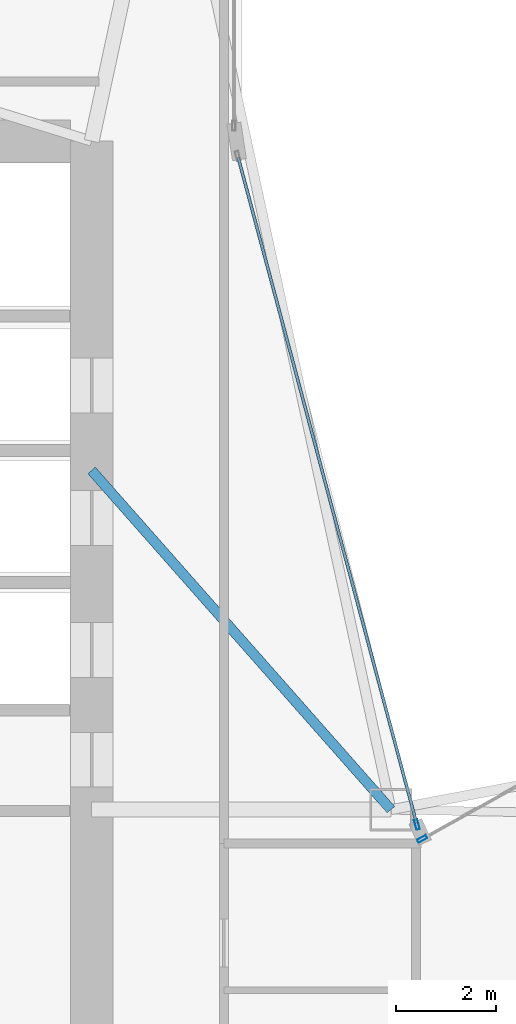
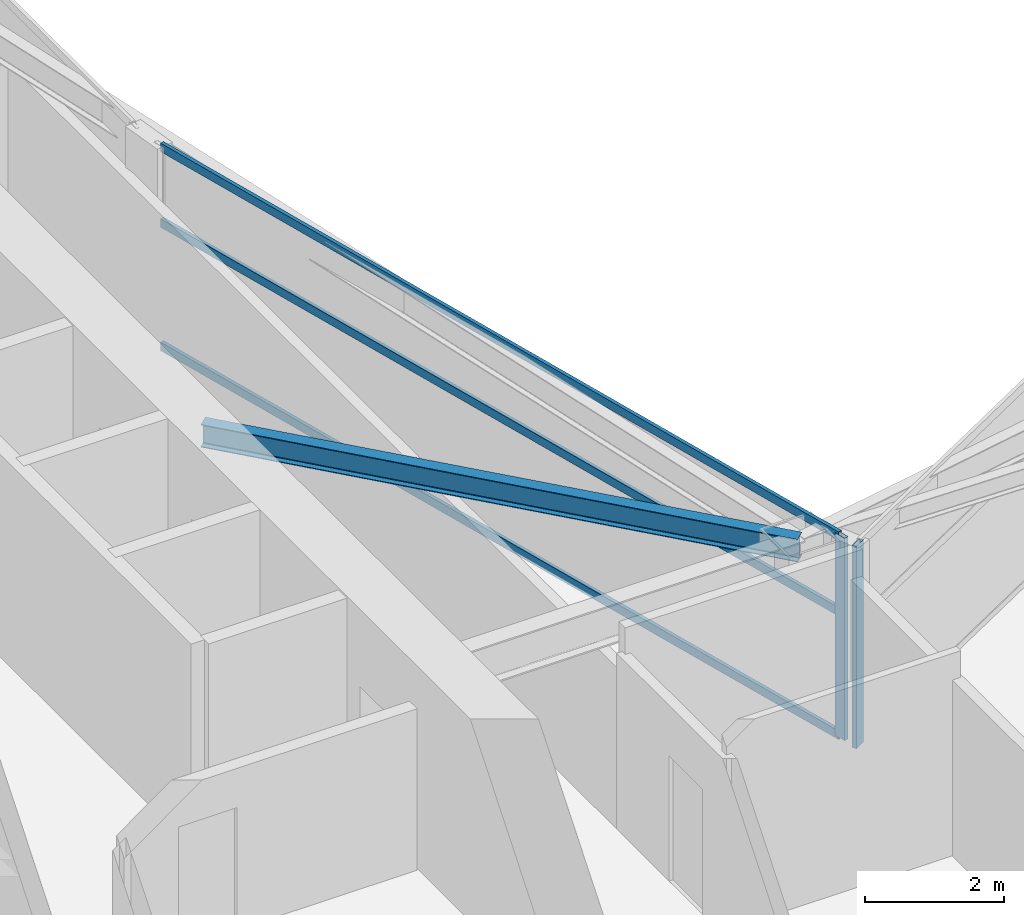
# One storey, part 10 of 28: 5 members, 1 beam, 2 elements without a shape of their own.
"""IFC4 building model written with IfcOpenShell, lengths in metres."""

from ifc_helpers import new_model, si_unit, direction, frame, origin, origin_2d, place, context, subcontext, project, spatial, hollow_rectangle, i_section, extrude, material, layer, layer_set, material_profile, profile_set, type_object, element, aggregate, save


model = new_model("IFC4")

# Units and contexts
model_context = context("Model", 3, precision=1e-05, world=origin(), true_north=direction((0.0, 1.0)))
body_context = subcontext(model_context, "Body", "Model", "MODEL_VIEW")
ifc_project = project(units=[si_unit("LENGTHUNIT", "METRE"), si_unit("AREAUNIT", "SQUARE_METRE"), si_unit("VOLUMEUNIT", "CUBIC_METRE"), si_unit("PLANEANGLEUNIT", "RADIAN"), si_unit("MASSUNIT", "GRAM", prefix="KILO")], contexts=[model_context])

# Site, building, storey
site_placement = place(None, origin())
site = spatial("IfcSite", under=ifc_project, at=site_placement, CompositionType="ELEMENT")
building_placement = place(site_placement, origin())
building = spatial("IfcBuilding", under=site, at=building_placement, Name="Calvorn Quay Hotel", CompositionType="ELEMENT")
storey_placement = place(building_placement, frame((0.0, 0.0, 127.800048828125)))
storey = spatial("IfcBuildingStorey", under=building, at=storey_placement, Name="L31", CompositionType="ELEMENT", Elevation=127.800048828125)

# Beam
ifc_material_1 = material(Name="Steel Q355B", Category="steel")
ifc_material_profile_1 = material_profile(ifc_material_1, i_section(OverallWidth=0.199951171875, OverallDepth=0.39990234375, WebThickness=0.008056640625, FlangeThickness=0.012939453125, FilletRadius=0.01611328125, at=origin_2d()), Name="HN400x200x8x13")
ifc_profile_set_1 = profile_set([ifc_material_profile_1], Name="Steel Q355B")
beam_type = type_object("IfcBeamType", Name="BM-JOIST-TYP", PredefinedType="JOIST", material=ifc_profile_set_1)
beam_placement = place(storey_placement, frame((15.0, 31.800048828125, 3.33984375), z_axis=(0.661618965899, -0.749840212287, 0.0), x_axis=(0.749840212287, 0.661618965899, 0.0)))
element("IfcBeam", 1, at=beam_placement, inside=storey, type_object=beam_type, Name="Beam BJ-L31-C1", PredefinedType="JOIST", context=body_context, shape_type="SweptSolid", body=[
    extrude(i_section(OverallWidth=0.199951171875, OverallDepth=0.39990234375, WebThickness=0.008056640625, FlangeThickness=0.012939453125, FilletRadius=0.01611328125, at=origin_2d()), origin(), (0.0, 0.0, 1.0), 9.068603515625),
])

# Curtain wall, member
ifc_material_2 = material(Name="Pale Anodised Aluminium and Low-E Glass", Category="aluminium")
ifc_layer = layer(ifc_material_2, 0.219970703125)
ifc_layer_set = layer_set([ifc_layer], Name="CW-SYS-Z2")
curtain_wall_type = type_object("IfcCurtainWallType", Name="CW-SYS-Z2", PredefinedType="NOTDEFINED", material=ifc_layer_set)
curtain_wall_1_placement = place(storey_placement, origin())
curtain_wall_1 = element("IfcCurtainWall", 2, at=curtain_wall_1_placement, inside=storey, type_object=curtain_wall_type, Name="Inner Court Curtain Wall L31-NE1", PredefinedType="NOTDEFINED")
ifc_material_3 = material(Name="Pale Anodised Aluminium 6063-T6", Category="aluminium")
ifc_material_profile_2 = material_profile(ifc_material_3, hollow_rectangle(XDim=0.070068359375, YDim=0.199951171875, WallThickness=0.00390625, at=origin_2d()), Name="ALU-M200x70x4")
ifc_profile_set_2 = profile_set([ifc_material_profile_2], Name="Pale Anodised Aluminium 6063-T6")
member_type_1 = type_object("IfcMemberType", Name="CW-SYS-Z2-MUL", PredefinedType="MULLION", material=ifc_profile_set_2)
member_1_placement = place(storey_placement, frame((21.626220703125, 24.41455078125, 0.0), z_axis=(0.0, 0.0, 1.0), x_axis=(0.486858256224, -0.873480989116, 0.0)))
member_1 = element("IfcMember", 3, at=member_1_placement, type_object=member_type_1, Name="CW-L31-NE1 mullion 4", PredefinedType="MULLION", context=body_context, shape_type="SweptSolid", body=[
    extrude(hollow_rectangle(XDim=0.070068359375, YDim=0.199951171875, WallThickness=0.00390625, at=origin_2d()), origin(), (0.0, 0.0, 1.0), 3.56005859375),
])
aggregate(curtain_wall_1, [member_1])

# Curtain wall, members
curtain_wall_2_placement = place(storey_placement, origin())
curtain_wall_2 = element("IfcCurtainWall", 4, at=curtain_wall_2_placement, inside=storey, type_object=curtain_wall_type, Name="Inner Court Curtain Wall L31-IC1", PredefinedType="NOTDEFINED")
member_2_placement = place(storey_placement, frame((21.520263671875, 24.698974609375, 0.0), z_axis=(0.0, 0.0, 1.0), x_axis=(-0.96593652056, -0.25877913024, 0.0)))
member_2 = element("IfcMember", 5, at=member_2_placement, type_object=member_type_1, Name="CW-L31-IC1 mullion 1", PredefinedType="MULLION", context=body_context, shape_type="SweptSolid", body=[
    extrude(hollow_rectangle(XDim=0.070068359375, YDim=0.199951171875, WallThickness=0.00390625, at=origin_2d()), origin(), (0.0, 0.0, 1.0), 3.56005859375),
])
ifc_material_4 = material(Name="Pale Anodised Aluminium 6063-T6", Category="aluminium")
ifc_material_profile_3 = material_profile(ifc_material_4, hollow_rectangle(XDim=0.06005859375, YDim=0.14990234375, WallThickness=0.00341796875, at=origin_2d()), Name="ALU-T150x60x3.5")
ifc_profile_set_3 = profile_set([ifc_material_profile_3], Name="Pale Anodised Aluminium 6063-T6")
member_type_2 = type_object("IfcMemberType", Name="CW-SYS-Z2-TRN", PredefinedType="USERDEFINED", material=ifc_profile_set_3)
member_3_placement = place(storey_placement, frame((21.512451171875, 24.72802734375, 0.030029296875), z_axis=(-0.258781136883, 0.965935982969, 0.0), x_axis=(-0.965935982969, -0.258781136883, 0.0)))
member_3 = element("IfcMember", 6, at=member_3_placement, type_object=member_type_2, Name="CW-L31-IC1 transom 1.1", ObjectType="TRANSOM", PredefinedType="USERDEFINED", context=body_context, shape_type="SweptSolid", body=[
    extrude(hollow_rectangle(XDim=0.06005859375, YDim=0.14990234375, WallThickness=0.00341796875, at=origin_2d()), origin(), (0.0, 0.0, 1.0), 13.814453125),
])
member_4_placement = place(storey_placement, frame((21.512451171875, 24.72802734375, 2.199951171875), z_axis=(-0.258781136883, 0.965935982969, 0.0), x_axis=(-0.965935982969, -0.258781136883, 0.0)))
member_4 = element("IfcMember", 7, at=member_4_placement, type_object=member_type_2, Name="CW-L31-IC1 transom 1.2", ObjectType="TRANSOM", PredefinedType="USERDEFINED", context=body_context, shape_type="SweptSolid", body=[
    extrude(hollow_rectangle(XDim=0.06005859375, YDim=0.14990234375, WallThickness=0.00341796875, at=origin_2d()), origin(), (0.0, 0.0, 1.0), 13.814453125),
])
member_5_placement = place(storey_placement, frame((21.512451171875, 24.72802734375, 3.530029296875), z_axis=(-0.258781136883, 0.965935982969, 0.0), x_axis=(-0.965935982969, -0.258781136883, 0.0)))
member_5 = element("IfcMember", 8, at=member_5_placement, type_object=member_type_2, Name="CW-L31-IC1 transom 1.3", ObjectType="TRANSOM", PredefinedType="USERDEFINED", context=body_context, shape_type="SweptSolid", body=[
    extrude(hollow_rectangle(XDim=0.06005859375, YDim=0.14990234375, WallThickness=0.00341796875, at=origin_2d()), origin(), (0.0, 0.0, 1.0), 13.814453125),
])
aggregate(curtain_wall_2, [member_2, member_3, member_4, member_5])

save(model, "model.ifc")
